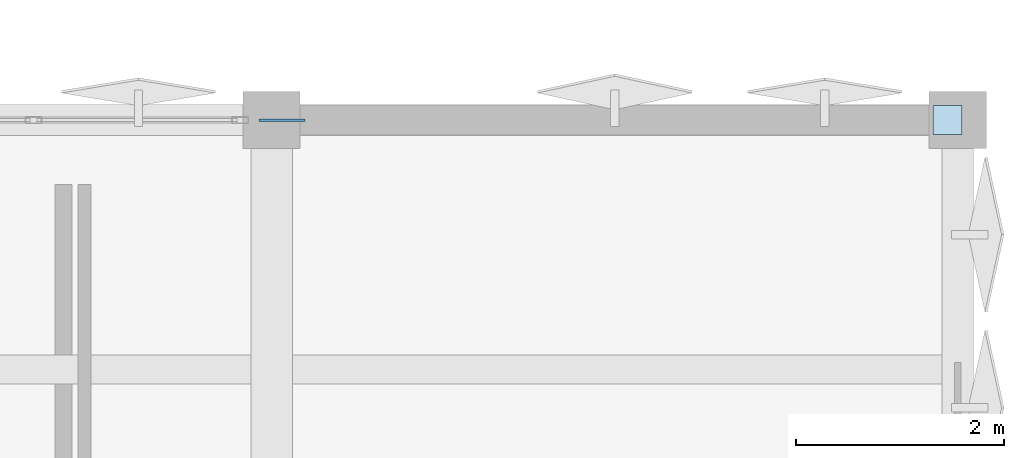
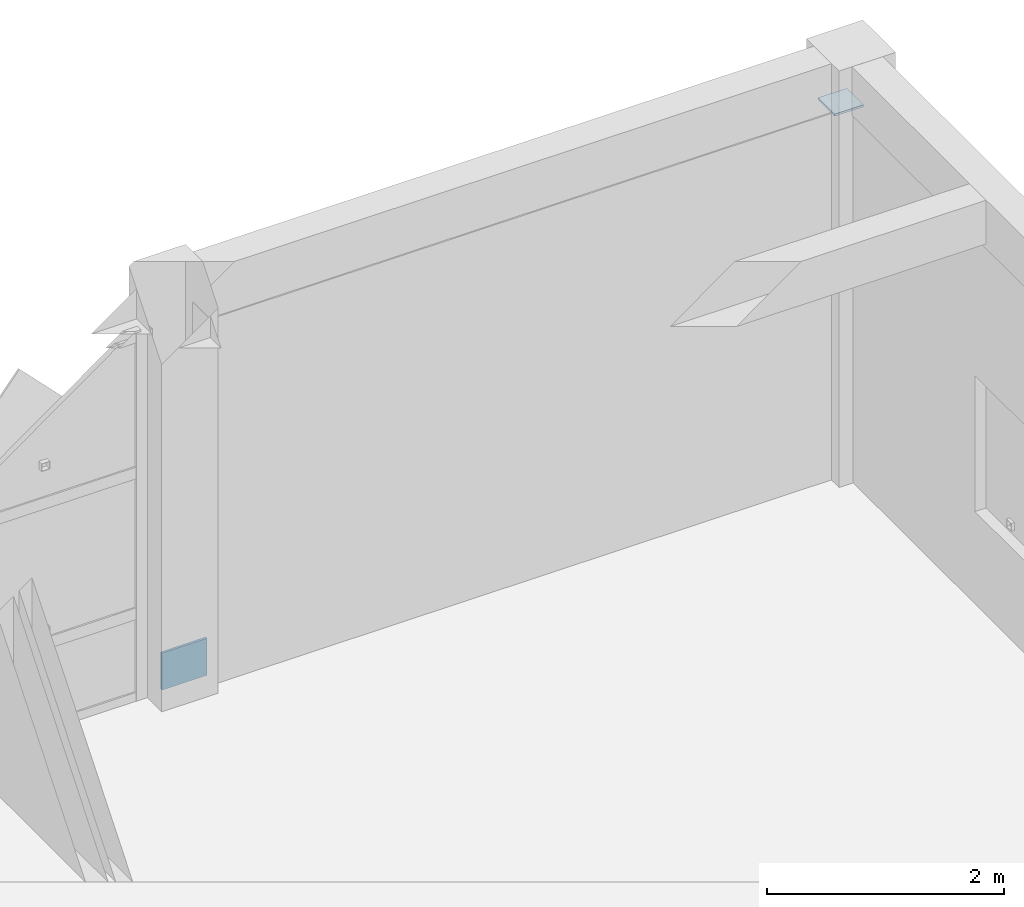
# One storey, part 28 of 39: 2 plates.
"""IFC4 building model written with IfcOpenShell, lengths in metres."""

from ifc_helpers import new_model, si_unit, direction, frame, origin, origin_2d, place, context, subcontext, project, spatial, rectangle, extrude, material, layer, layer_set, type_object, element, save


model = new_model("IFC4")

# Units and contexts
model_context = context("Model", 3, precision=1e-05, world=origin(), true_north=direction((0.0, 1.0)))
body_context = subcontext(model_context, "Body", "Model", "MODEL_VIEW")
ifc_project = project(units=[si_unit("LENGTHUNIT", "METRE"), si_unit("AREAUNIT", "SQUARE_METRE"), si_unit("VOLUMEUNIT", "CUBIC_METRE"), si_unit("PLANEANGLEUNIT", "RADIAN"), si_unit("MASSUNIT", "GRAM", prefix="KILO")], contexts=[model_context])

# Site, building, storey
site_placement = place(None, origin())
site = spatial("IfcSite", under=ifc_project, at=site_placement, CompositionType="ELEMENT")
building_placement = place(site_placement, origin())
building = spatial("IfcBuilding", under=site, at=building_placement, Name="Kharisveld Research Institute", CompositionType="ELEMENT")
storey_placement = place(building_placement, frame((0.0, 0.0, 23.10009765625)))
storey = spatial("IfcBuildingStorey", under=building, at=storey_placement, Name="L05", CompositionType="ELEMENT", Elevation=23.10009765625)

# Plates
ifc_material_1 = material(Name="Steel S355JR", Category="steel")
ifc_layer_1 = layer(ifc_material_1, 0.02197265625)
ifc_layer_set_1 = layer_set([ifc_layer_1], Name="PL_CAP_C")
plate_type_1 = type_object("IfcPlateType", Name="PL_CAP_C", PredefinedType="SHEET", material=ifc_layer_set_1)
plate_1_placement = place(storey_placement, frame((160.699951171875, 60.800048828125, 3.72900390625), z_axis=(0.0, 0.0, 1.0), x_axis=(1.0, 0.0, 0.0)))
element("IfcPlate", 1, at=plate_1_placement, inside=storey, type_object=plate_type_1, Name="PLT:V2:L05:CAP_6_3", PredefinedType="SHEET", context=body_context, shape_type="SweptSolid", body=[
    extrude(rectangle(XDim=0.280029296875, YDim=0.280029296875, at=origin_2d()), origin(), (0.0, 0.0, 1.0), 0.02197265625),
])
ifc_material_2 = material(Name="Steel S355JR", Category="steel")
ifc_layer_2 = layer(ifc_material_2, 0.02392578125)
ifc_layer_set_2 = layer_set([ifc_layer_2], Name="PL_GUS_C")
plate_type_2 = type_object("IfcPlateType", Name="PL_GUS_C", PredefinedType="USERDEFINED", material=ifc_layer_set_2)
plate_2_placement = place(storey_placement, frame((154.300048828125, 60.800048828125, 0.010009765625), z_axis=(0.0, 0.0, 1.0), x_axis=(1.0, 0.0, 0.0)))
element("IfcPlate", 2, at=plate_2_placement, inside=storey, type_object=plate_type_2, Name="PLT:V2:L05:GUS_6_3", ObjectType="GUSSET PLATE", PredefinedType="USERDEFINED", context=body_context, shape_type="SweptSolid", body=[
    extrude(rectangle(XDim=0.43994140625, YDim=0.02392578125, at=origin_2d()), origin(), (0.0, 0.0, 1.0), 0.3798828125),
])

save(model, "model.ifc")
